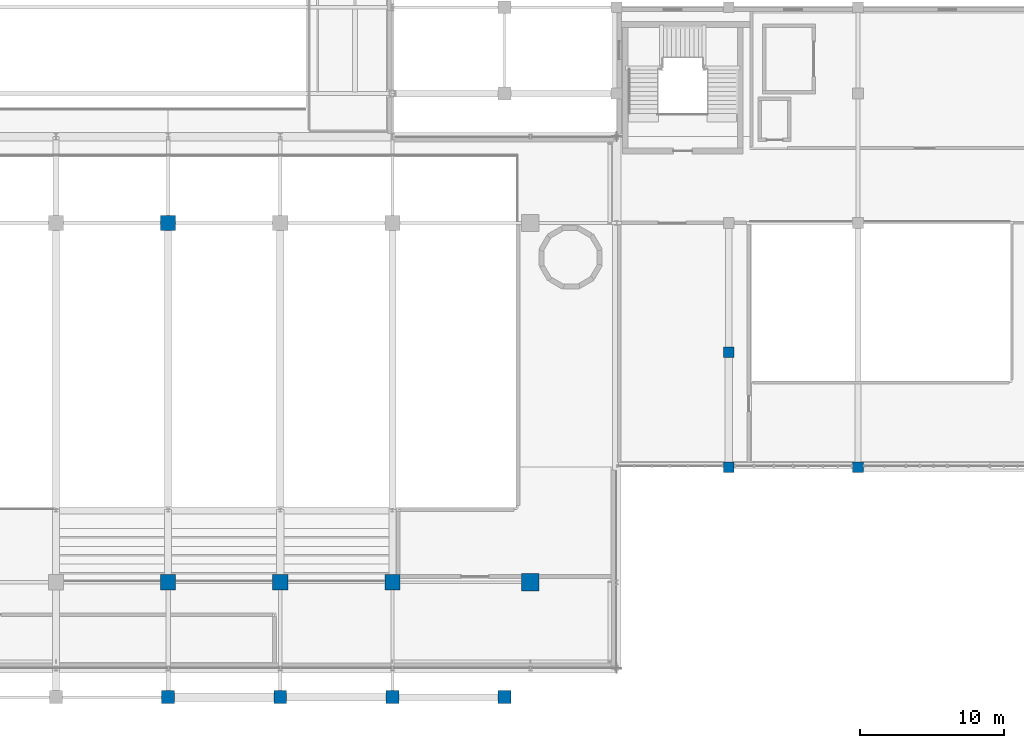
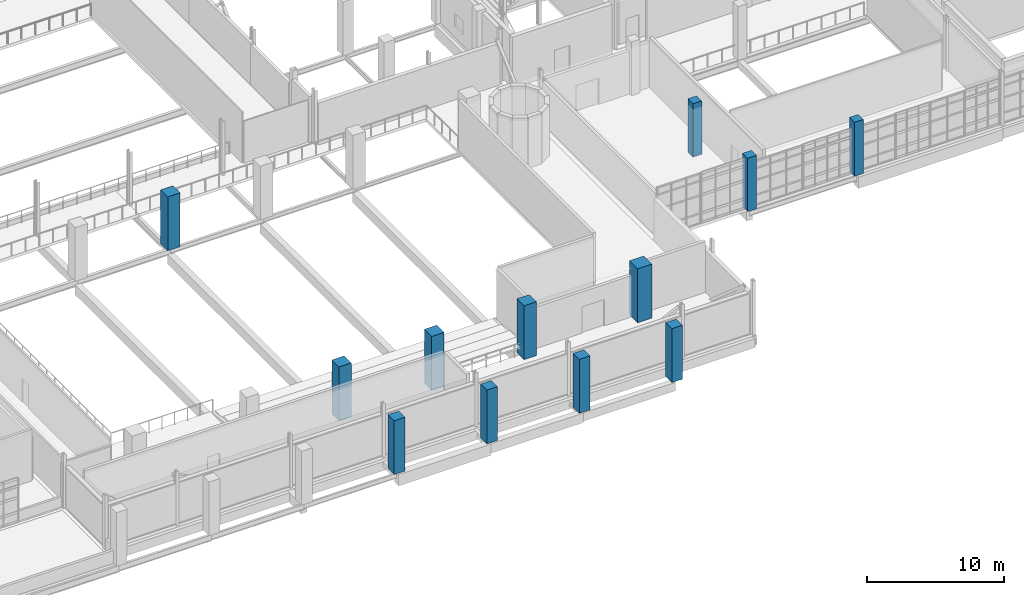
# One storey, part 5 of 102: 12 columns.
"""IFC4 building model written with IfcOpenShell, lengths in metres."""

import ifcopenshell
import ifcopenshell.guid

model = None  # the IFC model being written
_history = None  # IfcOwnerHistory: only IFC2X3 demands one
_inside = {}  # id of a spatial element -> (the spatial element, [elements in it])
_under = {}  # id of a project, library or spatial element -> (it, [spatial elements below it])
_declared = {}  # id of a project -> (the project, [libraries it declares])
_typed = {}  # id of a type object -> (the type object, [elements of that type])
_made_of = {}  # id of a material, layer set ... -> (it, [elements and type objects made of it])


def new_model(schema):
    """Start an empty IFC model of exactly this schema.

    Asked for "IFC4X3", IfcOpenShell would pick the latest addendum, in which some entities
    have other attributes; the version numbers below select the first issue.
    IFC2X3 requires an IfcOwnerHistory on every rooted entity: one is made here for all.
    """
    global model, _history
    if schema == "IFC4X3":
        model = ifcopenshell.file(schema_version=(4, 3, 0, 0))
    else:
        model = ifcopenshell.file(schema=schema)
    _inside.clear()
    _under.clear()
    _declared.clear()
    _typed.clear()
    _made_of.clear()
    _history = None
    if model.schema == "IFC2X3":
        org = make("IfcOrganization", Name="unknown")
        user = make(
            "IfcPersonAndOrganization",
            ThePerson=make("IfcPerson", FamilyName="unknown"),
            TheOrganization=org,
        )
        app = make(
            "IfcApplication",
            ApplicationDeveloper=org,
            Version="unknown",
            ApplicationFullName="unknown",
            ApplicationIdentifier="unknown",
        )
        _history = make(
            "IfcOwnerHistory",
            OwningUser=user,
            OwningApplication=app,
            ChangeAction="ADDED",
            CreationDate=0,
        )
    return model


def make(cls, **values):
    """One entity of the class cls with the attributes given. An attribute that is None is left unset."""
    return model.create_entity(
        cls, **{name: value for name, value in values.items() if value is not None}
    )


def rooted(cls, **values):
    """An entity with a GlobalId (a new one), such as an element, a storey or a relation."""
    return make(cls, GlobalId=ifcopenshell.guid.new(), OwnerHistory=_history, **values)


def si_unit(unit_type, name, prefix=None):
    """IfcSIUnit, for example si_unit("LENGTHUNIT", "METRE", prefix="MILLI")."""
    return make("IfcSIUnit", UnitType=unit_type, Prefix=prefix, Name=name)


def derived_unit(unit_type, elements):
    """IfcDerivedUnit: a product of units, each with its exponent."""
    return make(
        "IfcDerivedUnit",
        Elements=[
            make("IfcDerivedUnitElement", Unit=unit, Exponent=power)
            for unit, power in elements
        ],
        UnitType=unit_type,
    )


def assignment(units):
    """IfcUnitAssignment: the units of a project."""
    return None if units is None else make("IfcUnitAssignment", Units=units)


def point(xyz):
    """IfcCartesianPoint."""
    return None if xyz is None else make("IfcCartesianPoint", Coordinates=xyz)


def direction(xyz):
    """IfcDirection."""
    return None if xyz is None else make("IfcDirection", DirectionRatios=xyz)


def frame(location, z_axis=None, x_axis=None):
    """IfcAxis2Placement3D, a coordinate frame: its origin and axes. An axis left out is left unset."""
    return make(
        "IfcAxis2Placement3D",
        Location=point(location),
        Axis=direction(z_axis),
        RefDirection=direction(x_axis),
    )


def frame_2d(location, x_axis=None):
    """IfcAxis2Placement2D, a coordinate frame in the plane: its origin and x axis."""
    return make(
        "IfcAxis2Placement2D", Location=point(location), RefDirection=direction(x_axis)
    )


def origin():
    """The frame at (0, 0, 0) with its axes left unset."""
    return frame((0.0, 0.0, 0.0))


def origin_2d():
    """The frame at (0, 0) in the plane with its x axis left unset."""
    return frame_2d((0.0, 0.0))


def place(relative_to, where):
    """IfcLocalPlacement: puts the frame where relative to a parent placement (None: the world)."""
    return make(
        "IfcLocalPlacement", PlacementRelTo=relative_to, RelativePlacement=where
    )


def context(
    kind, dimensions, precision=None, world=None, true_north=None, identifier=None
):
    """IfcGeometricRepresentationContext, for example the 3D "Model" context."""
    return make(
        "IfcGeometricRepresentationContext",
        ContextIdentifier=identifier,
        ContextType=kind,
        CoordinateSpaceDimension=dimensions,
        Precision=precision,
        WorldCoordinateSystem=world,
        TrueNorth=true_north,
    )


def subcontext(parent, identifier, kind, view, scale=None):
    """IfcGeometricRepresentationSubContext, for example "Body" below "Model"."""
    return make(
        "IfcGeometricRepresentationSubContext",
        ContextIdentifier=identifier,
        ContextType=kind,
        ParentContext=parent,
        TargetScale=scale,
        TargetView=view,
    )


def project(units=None, contexts=None):
    """IfcProject with its units and contexts."""
    return rooted(
        "IfcProject",
        Name="project",
        RepresentationContexts=contexts,
        UnitsInContext=assignment(units),
    )


def spatial(cls, under=None, at=None, **own):
    """A site, building, storey or space (cls), placed at a placement, below another one or the project."""
    s = rooted(cls, ObjectPlacement=at, **own)
    if under is not None:
        _under.setdefault(under.id(), (under, []))[1].append(s)
    return s


def profile(cls, at=None, kind="AREA", **sizes):
    """A parametric profile (cls). Its sizes go by their IFC names, for example OverallWidth=200.0."""
    return make(cls, ProfileType=kind, Position=at, **sizes)


def rectangle(**sizes):
    """IfcRectangleProfileDef."""
    return profile("IfcRectangleProfileDef", **sizes)


def extrude(swept, where, along, depth):
    """IfcExtrudedAreaSolid: the profile swept, set in the frame where, extruded along a direction by depth."""
    return make(
        "IfcExtrudedAreaSolid",
        SweptArea=swept,
        Position=where,
        ExtrudedDirection=direction(along),
        Depth=depth,
    )


def shape(context_of_items, identifier, shape_type, items):
    """IfcShapeRepresentation: the items that make up one representation, for example the "Body"."""
    return make(
        "IfcShapeRepresentation",
        ContextOfItems=context_of_items,
        RepresentationIdentifier=identifier,
        RepresentationType=shape_type,
        Items=items,
    )


def material(Name=None, Category=None):
    """IfcMaterial."""
    return make("IfcMaterial", Name=Name, Category=Category)


def material_profile(
    of_material, cross_section, Name=None, Category=None, Priority=None
):
    """IfcMaterialProfile: a cross section and its material."""
    return make(
        "IfcMaterialProfile",
        Name=Name,
        Material=of_material,
        Profile=cross_section,
        Priority=Priority,
        Category=Category,
    )


def profile_set(profiles, Name=None, composite=None):
    """IfcMaterialProfileSet."""
    return make(
        "IfcMaterialProfileSet",
        Name=Name,
        MaterialProfiles=profiles,
        CompositeProfile=composite,
    )


def made_of(thing, what):
    """Note that an element or type object is made of a material, layer set ...; save() writes the relation."""
    if what is not None:
        _made_of.setdefault(what.id(), (what, []))[1].append(thing)
    return thing


def type_object(cls, material=None, **own):
    """A type object (cls), such as IfcWallType, which elements share."""
    return made_of(rooted(cls, **own), material)


def element(
    cls,
    number,
    at=None,
    inside=None,
    cuts=None,
    type_object=None,
    material=None,
    context=None,
    identifier="Body",
    shape_type=None,
    held_by="IfcProductDefinitionShape",
    body=None,
    shapes=None,
    **own,
):
    """One element of the class cls, such as IfcWall. Its Tag is "e" and its number.

    at: its placement. inside: the storey or other place that contains it. cuts: it is an
    opening in that element (IfcRelVoidsElement). A single representation is given by context,
    identifier, shape_type and body (its items); several are given by shapes. held_by: the class
    of the entity that holds the representations. save() writes the other relations.
    """
    e = rooted(cls, Tag="e%d" % number, ObjectPlacement=at, **own)
    if body is not None:
        shapes = [shape(context, identifier, shape_type, body)]
    if shapes is not None:
        e.Representation = make(held_by, Representations=shapes)
    if inside is not None:
        _inside.setdefault(inside.id(), (inside, []))[1].append(e)
    if cuts is not None:
        rooted(
            "IfcRelVoidsElement", RelatingBuildingElement=cuts, RelatedOpeningElement=e
        )
    if type_object is not None:
        _typed.setdefault(type_object.id(), (type_object, []))[1].append(e)
    return made_of(e, material)


def aggregate(whole, parts):
    """IfcRelAggregates: a whole, such as a stair, and the parts it consists of."""
    return rooted("IfcRelAggregates", RelatingObject=whole, RelatedObjects=parts)


def save(model, path):
    """Write the relations noted so far, then the file.

    IfcRelAggregates (storeys below a building ...), IfcRelContainedInSpatialStructure (elements
    in a storey), IfcRelDefinesByType, IfcRelAssociatesMaterial and IfcRelDeclares: one each for
    every whole, place, type object, material and project.
    """
    for whole, parts in _under.values():
        aggregate(whole, parts)
    for where, things in _inside.values():
        rooted(
            "IfcRelContainedInSpatialStructure",
            RelatedElements=things,
            RelatingStructure=where,
        )
    for kind, things in _typed.values():
        rooted("IfcRelDefinesByType", RelatedObjects=things, RelatingType=kind)
    for what, things in _made_of.values():
        rooted("IfcRelAssociatesMaterial", RelatedObjects=things, RelatingMaterial=what)
    for by, libraries in _declared.values():
        rooted("IfcRelDeclares", RelatingContext=by, RelatedDefinitions=libraries)
    model.write(path)


model = new_model("IFC4")

# Units and contexts
model_context = context("Model", 3, precision=1e-05, world=origin(), true_north=direction((0.0, 1.0)))
body_context = subcontext(model_context, "Body", "Model", "MODEL_VIEW")
ifc_project = project(units=[si_unit("LENGTHUNIT", "METRE"), si_unit("AREAUNIT", "SQUARE_METRE"), si_unit("VOLUMEUNIT", "CUBIC_METRE"), si_unit("PLANEANGLEUNIT", "RADIAN"), si_unit("MASSUNIT", "GRAM", prefix="KILO"), derived_unit("THERMALTRANSMITTANCEUNIT", [(si_unit("POWERUNIT", "WATT"), 1), (si_unit("LENGTHUNIT", "METRE"), -2), (si_unit("THERMODYNAMICTEMPERATUREUNIT", "KELVIN"), -1)])], contexts=[model_context])

# Site, building, storey
site_placement = place(None, origin())
site = spatial("IfcSite", under=ifc_project, at=site_placement, CompositionType="ELEMENT")
building_placement = place(site_placement, origin())
building = spatial("IfcBuilding", under=site, at=building_placement, Name="Nallur Shell Playhouse", CompositionType="ELEMENT")
storey_placement = place(building_placement, frame((0.0, 0.0, 15.0)))
storey = spatial("IfcBuildingStorey", under=building, at=storey_placement, Name="L04", CompositionType="ELEMENT", Elevation=15.0)

# Columns
ifc_material_1 = material(Name="Concrete M45", Category="concrete")
ifc_material_profile_1 = material_profile(ifc_material_1, rectangle(XDim=1.050048828125, YDim=1.050048828125, at=origin_2d()), Name="RC 1050x1050")
ifc_profile_set_1 = profile_set([ifc_material_profile_1], Name="Concrete M45")
column_type_1 = type_object("IfcColumnType", Name="CL-RC-1050", PredefinedType="COLUMN", material=ifc_profile_set_1)
for number, where, z_axis, x_axis, name in (
    (1, (87.39990234375, 16.0, 0.0), (0.0, 0.0, 1.0), (1.0, 0.0, 0.0), "Column MC3S (L04)"),
    (2, (87.39990234375, 41.0, 0.0), (0.0, 0.0, 1.0), (1.0, 0.0, 0.0), "Column MC3N (L04)"),
    (3, (95.199951171875, 16.0, 0.0), (0.0, 0.0, 1.0), (1.0, 0.0, 0.0), "Column MC4S (L04)"),
    (4, (103.0, 16.0, 0.0), (0.0, 0.0, 1.0), (1.0, 0.0, 0.0), "Column MC5S (L04)"),
):
    element("IfcColumn", number, at=place(storey_placement, frame(where, z_axis=z_axis, x_axis=x_axis)), inside=storey, type_object=column_type_1, Name=name, PredefinedType="COLUMN", context=body_context, shape_type="SweptSolid", body=[
        extrude(rectangle(XDim=1.050048828125, YDim=1.050048828125, at=origin_2d()), origin(), (0.0, 0.0, 1.0), 4.800048828125),
    ])
ifc_material_profile_2 = material_profile(ifc_material_1, rectangle(XDim=1.199951171875, YDim=1.199951171875, at=origin_2d()), Name="RC 1200x1200")
ifc_profile_set_2 = profile_set([ifc_material_profile_2], Name="Concrete M45")
column_type_2 = type_object("IfcColumnType", Name="CL-RC-1200", PredefinedType="COLUMN", material=ifc_profile_set_2)
column_1_placement = place(storey_placement, frame((112.60009765625, 16.0, 0.0), z_axis=(0.0, 0.0, 1.0), x_axis=(1.0, 0.0, 0.0)))
element("IfcColumn", 5, at=column_1_placement, inside=storey, type_object=column_type_2, Name="Column MC6S (L04)", PredefinedType="COLUMN", context=body_context, shape_type="SweptSolid", body=[
    extrude(rectangle(XDim=1.199951171875, YDim=1.199951171875, at=origin_2d()), origin(), (0.0, 0.0, 1.0), 4.800048828125),
])
ifc_material_2 = material(Name="Concrete M40", Category="concrete")
ifc_material_profile_3 = material_profile(ifc_material_2, rectangle(XDim=0.75, YDim=0.75, at=origin_2d()), Name="RC 750x750")
ifc_profile_set_3 = profile_set([ifc_material_profile_3], Name="Concrete M40")
column_type_3 = type_object("IfcColumnType", Name="CL-RC-750", PredefinedType="COLUMN", material=ifc_profile_set_3)
for number, where, z_axis, x_axis, name in (
    (6, (126.39990234375, 24.0, 0.0), (0.0, 0.0, 1.0), (1.0, 0.0, 0.0), "Column 16-C (L04)"),
    (7, (126.39990234375, 32.0, 0.0), (0.0, 0.0, 1.0), (1.0, 0.0, 0.0), "Column 16-D (L04)"),
):
    element("IfcColumn", number, at=place(storey_placement, frame(where, z_axis=z_axis, x_axis=x_axis)), inside=storey, type_object=column_type_3, Name=name, PredefinedType="COLUMN", context=body_context, shape_type="SweptSolid", body=[
        extrude(rectangle(XDim=0.75, YDim=0.75, at=origin_2d()), origin(), (0.0, 0.0, 1.0), 4.760009765625),
    ])
column_2_placement = place(storey_placement, frame((135.39990234375, 24.0, 0.0), z_axis=(0.0, 0.0, 1.0), x_axis=(1.0, 0.0, 0.0)))
element("IfcColumn", 8, at=column_2_placement, inside=storey, type_object=column_type_3, Name="Column 17-C (L04)", PredefinedType="COLUMN", context=body_context, shape_type="SweptSolid", body=[
    extrude(rectangle(XDim=0.75, YDim=0.75, at=origin_2d()), origin(), (0.0, 0.0, 1.0), 4.800048828125),
])
ifc_material_profile_4 = material_profile(ifc_material_2, rectangle(XDim=0.89990234375, YDim=0.89990234375, at=origin_2d()), Name="RC 900x900")
ifc_profile_set_4 = profile_set([ifc_material_profile_4], Name="Concrete M40")
column_type_4 = type_object("IfcColumnType", Name="CL-RC-900", PredefinedType="COLUMN", material=ifc_profile_set_4)
for number, where, z_axis, x_axis, name in (
    (9, (87.39990234375, 8.0, 0.0), (0.0, 0.0, 1.0), (1.0, 0.0, 0.0), "Column 11-A (L04)"),
    (10, (95.199951171875, 8.0, 0.0), (0.0, 0.0, 1.0), (1.0, 0.0, 0.0), "Column 12-A (L04)"),
    (11, (103.0, 8.0, 0.0), (0.0, 0.0, 1.0), (1.0, 0.0, 0.0), "Column 13-A (L04)"),
    (12, (110.800048828125, 8.0, 0.0), (0.0, 0.0, 1.0), (1.0, 0.0, 0.0), "Column 14-A (L04)"),
):
    element("IfcColumn", number, at=place(storey_placement, frame(where, z_axis=z_axis, x_axis=x_axis)), inside=storey, type_object=column_type_4, Name=name, PredefinedType="COLUMN", context=body_context, shape_type="SweptSolid", body=[
        extrude(rectangle(XDim=0.89990234375, YDim=0.89990234375, at=origin_2d()), origin(), (0.0, 0.0, 1.0), 4.800048828125),
    ])

save(model, "model.ifc")
